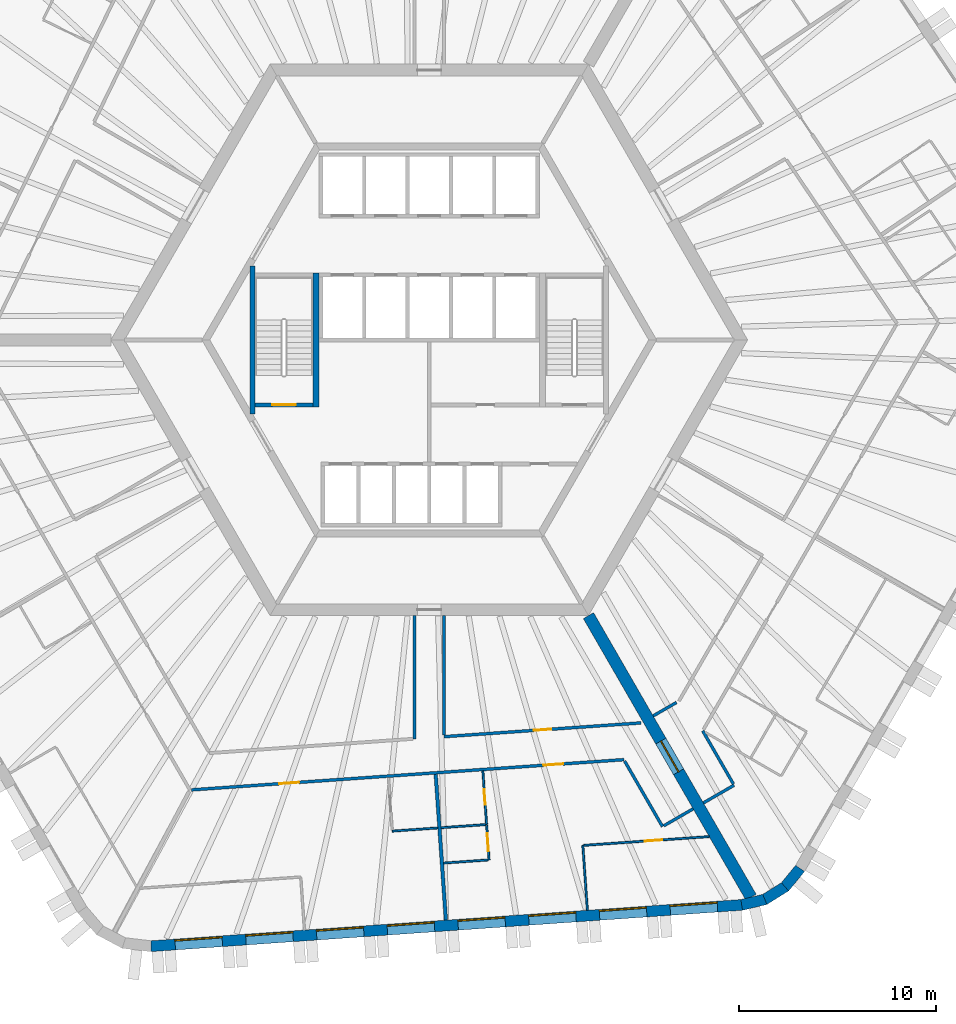
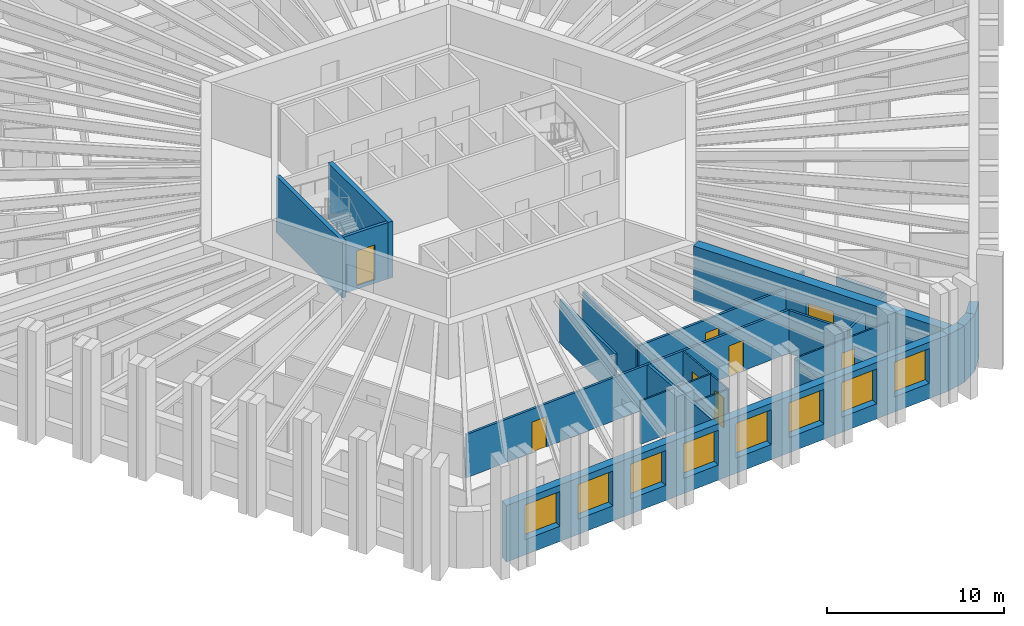
# One storey, part 4 of 12: 25 walls, 8 doors, 8 windows, 16 openings.
"""IFC4 building model written with IfcOpenShell, lengths in metres."""

from ifc_helpers import new_model, si_unit, direction, frame, frame_2d, origin, place, context, subcontext, project, spatial, polyline, rectangle, outline, extrude, material, layer, layer_set, type_object, element, fill, save


model = new_model("IFC4")

# Units and contexts
model_context = context("Model", 3, precision=1e-05, world=origin(), true_north=direction((0.0, 1.0)))
body_context = subcontext(model_context, "Body", "Model", "MODEL_VIEW")
ifc_project = project(units=[si_unit("LENGTHUNIT", "METRE"), si_unit("AREAUNIT", "SQUARE_METRE"), si_unit("VOLUMEUNIT", "CUBIC_METRE"), si_unit("PLANEANGLEUNIT", "RADIAN"), si_unit("MASSUNIT", "GRAM", prefix="KILO")], contexts=[model_context])

# Site, building, storey
site_placement = place(None, origin())
site = spatial("IfcSite", under=ifc_project, at=site_placement, CompositionType="ELEMENT")
building_placement = place(site_placement, origin())
building = spatial("IfcBuilding", under=site, at=building_placement, Name="Tarnside Tower", CompositionType="ELEMENT")
storey_placement = place(building_placement, frame((0.0, 0.0, 60.89990234375)))
storey = spatial("IfcBuildingStorey", under=building, at=storey_placement, Name="L12", CompositionType="ELEMENT", Elevation=60.89990234375)

# Wall
ifc_material_1 = material(Name="Gypsum board partition on steel studs", Category="steel")
ifc_layer_1 = layer(ifc_material_1, 0.10009765625)
ifc_layer_set_1 = layer_set([ifc_layer_1], Name="Bathroom wall 100")
wall_type_1 = type_object("IfcWallType", Name="Bathroom wall 100", PredefinedType="PARTITIONING", material=ifc_layer_set_1)
wall_1_placement = place(storey_placement, frame((0.428466796875, -24.780517578125, 0.0), z_axis=(0.0, 0.0, 1.0), x_axis=(-0.997563824095, -0.069759707979, 0.0)))
element("IfcWall", 1, at=wall_1_placement, inside=storey, type_object=wall_type_1, Name="Bathroom wall 03111", PredefinedType="PARTITIONING", context=body_context, shape_type="SweptSolid", body=[
    extrude(rectangle(XDim=2.309814453125, YDim=0.10009765625, at=frame_2d((1.15478515625, 0.0))), origin(), (0.0, 0.0, 1.0), 2.98779296875),
])

# Wall, opening, door
wall_2_placement = place(storey_placement, frame((2.722412109375, -21.888427734375, 0.0), z_axis=(0.0, 0.0, 1.0), x_axis=(0.069706086879, -0.997567572374, 0.0)))
wall_2 = element("IfcWall", 2, at=wall_2_placement, inside=storey, type_object=wall_type_1, Name="Bathroom wall 03118", PredefinedType="PARTITIONING", context=body_context, shape_type="SweptSolid", body=[
    extrude(rectangle(XDim=2.724853515625, YDim=0.10009765625, at=frame_2d((1.3623046875, 0.0))), origin(), (0.0, 0.0, 1.0), 2.98779296875),
])
opening_1_placement = place(wall_2_placement, frame((0.925048828125, 0.0, 0.0)))
opening_1 = element("IfcOpeningElement", 3, at=opening_1_placement, cuts=wall_2, Name="Opening D-B1", PredefinedType="OPENING", context=body_context, shape_type="SweptSolid", body=[
    extrude(rectangle(XDim=0.800048828125, YDim=2.10009765625, at=frame_2d((0.39990234375, 1.050048828125))), frame((0.0, 0.06005859375, 0.0), z_axis=(0.0, -1.0, 0.0), x_axis=(1.0, 0.0, 0.0)), (0.0, 0.0, 1.0), 0.1201171875),
])
ifc_material_2 = material(Name="Timber door leaf", Category="wood")
door_type_1 = type_object("IfcDoorType", Name="Bathroom door 800", OperationType="NOTDEFINED", PredefinedType="DOOR", material=ifc_material_2)
door_1_placement = place(opening_1_placement, origin())
door_1 = element("IfcDoor", 4, at=door_1_placement, inside=storey, type_object=door_type_1, Name="Bathroom door 03023", OperationType="SINGLE_SWING_RIGHT", OverallHeight=2.10009765625, OverallWidth=0.800048828125, PredefinedType="DOOR", context=body_context, shape_type="SweptSolid", body=[
    extrude(rectangle(XDim=0.800048828125, YDim=2.10009765625, at=frame_2d((0.39990234375, 1.050048828125))), frame((0.0, 0.02490234375, 0.0), z_axis=(0.0, -1.0, 0.0), x_axis=(1.0, 0.0, 0.0)), (0.0, 0.0, 1.0), 0.050048828125),
])
fill(opening_1, door_1)

# Wall
wall_3_placement = place(storey_placement, frame((0.608154296875, -24.767822265625, 0.0), z_axis=(0.0, 0.0, 1.0), x_axis=(0.997569341134, 0.069680769442, 0.0)))
element("IfcWall", 5, at=wall_3_placement, inside=storey, type_object=wall_type_1, Name="Bathroom wall 03123", PredefinedType="PARTITIONING", context=body_context, shape_type="SweptSolid", body=[
    extrude(rectangle(XDim=2.259765625, YDim=0.10009765625, at=frame_2d((1.1298828125, 0.0))), origin(), (0.0, 0.0, 1.0), 2.98779296875),
])

# Wall, opening, door
ifc_material_3 = material(Name="Concrete C80/95", Category="concrete")
ifc_layer_2 = layer(ifc_material_3, 0.60009765625)
ifc_layer_set_2 = layer_set([ifc_layer_2], Name="Core wall Z1 600 C80/95")
wall_type_2 = type_object("IfcWallType", Name="Core wall Z1 600 C80/95", PredefinedType="SHEAR", material=ifc_layer_set_2)
wall_4_placement = place(storey_placement, frame((8.0830078125, -14.0, -0.14990234375), z_axis=(0.0, 0.0, 1.0), x_axis=(0.499997680643, -0.866026742862, 0.0)))
wall_4 = element("IfcWall", 6, at=wall_4_placement, inside=storey, type_object=wall_type_2, Name="L12 spine wall 3", PredefinedType="SHEAR", context=body_context, shape_type="SweptSolid", body=[
    extrude(rectangle(XDim=16.5087890625, YDim=0.60009765625, at=frame_2d((8.25439453125, 0.0))), origin(), (0.0, 0.0, 1.0), 3.89990234375),
])
opening_2_placement = place(wall_4_placement, frame((7.3544921875, 0.0, 0.14990234375)))
opening_2 = element("IfcOpeningElement", 7, at=opening_2_placement, cuts=wall_4, Name="Opening CD-SPN", PredefinedType="OPENING", context=body_context, shape_type="SweptSolid", body=[
    extrude(rectangle(XDim=1.800048828125, YDim=2.39990234375, at=frame_2d((0.89990234375, 1.199951171875))), frame((0.0, 0.31005859375, 0.0), z_axis=(0.0, -1.0, 0.0), x_axis=(1.0, 0.0, 0.0)), (0.0, 0.0, 1.0), 0.6201171875),
])
ifc_material_4 = material(Name="Steel fire door", Category="steel")
door_type_2 = type_object("IfcDoorType", Name="Spine passage double door FD60 1800x2400", OperationType="NOTDEFINED", PredefinedType="DOOR", material=ifc_material_4)
door_2_placement = place(opening_2_placement, origin())
door_2 = element("IfcDoor", 8, at=door_2_placement, inside=storey, type_object=door_type_2, Name="L12 spine passage door 3", OperationType="DOUBLE_DOOR_SINGLE_SWING", OverallHeight=2.39990234375, OverallWidth=1.800048828125, PredefinedType="DOOR", context=body_context, shape_type="SweptSolid", body=[
    extrude(rectangle(XDim=1.800048828125, YDim=2.39990234375, at=frame_2d((0.89990234375, 1.199951171875))), frame((0.0, 0.02490234375, 0.0), z_axis=(0.0, -1.0, 0.0), x_axis=(1.0, 0.0, 0.0)), (0.0, 0.0, 1.0), 0.050048828125),
])
fill(opening_2, door_2)

# Wall, openings, doors
ifc_layer_3 = layer(ifc_material_1, 0.14990234375)
ifc_layer_set_3 = layer_set([ifc_layer_3], Name="Corridor wall 150 EI 60")
wall_type_3 = type_object("IfcWallType", Name="Corridor wall 150 EI 60", PredefinedType="PARTITIONING", material=ifc_layer_set_3)
wall_5_placement = place(storey_placement, frame((-12.068115234375, -22.847412109375, 0.0), z_axis=(0.0, 0.0, 1.0), x_axis=(0.99756437486, 0.069751831595, 0.0)))
wall_5 = element("IfcWall", 9, at=wall_5_placement, inside=storey, type_object=wall_type_3, Name="Corridor wall 03032", PredefinedType="PARTITIONING", context=body_context, shape_type="SweptSolid", body=[
    extrude(rectangle(XDim=22.001708984375, YDim=0.14990234375, at=frame_2d((11.0009765625, 0.0))), origin(), (0.0, 0.0, 1.0), 2.98779296875),
])
opening_3_placement = place(wall_5_placement, frame((4.468994140625, 0.0, 0.0)))
opening_3 = element("IfcOpeningElement", 10, at=opening_3_placement, cuts=wall_5, Name="Opening D-E1", PredefinedType="OPENING", context=body_context, shape_type="SweptSolid", body=[
    extrude(rectangle(XDim=1.0, YDim=2.10009765625, at=frame_2d((0.5, 1.050048828125))), frame((0.0, 0.0849609375, 0.0), z_axis=(0.0, -1.0, 0.0), x_axis=(1.0, 0.0, 0.0)), (0.0, 0.0, 1.0), 0.169921875),
])
opening_4_placement = place(wall_5_placement, frame((17.91162109375, 0.0, 0.0)))
opening_4 = element("IfcOpeningElement", 11, at=opening_4_placement, cuts=wall_5, Name="Opening D-E1", PredefinedType="OPENING", context=body_context, shape_type="SweptSolid", body=[
    extrude(rectangle(XDim=1.0, YDim=2.10009765625, at=frame_2d((0.5, 1.050048828125))), frame((0.0, 0.0849609375, 0.0), z_axis=(0.0, -1.0, 0.0), x_axis=(1.0, 0.0, 0.0)), (0.0, 0.0, 1.0), 0.169921875),
])
door_type_3 = type_object("IfcDoorType", Name="Unit entrance door 1000 FD30S", OperationType="NOTDEFINED", PredefinedType="DOOR", material=ifc_material_2)
door_3_placement = place(opening_3_placement, origin())
door_3 = element("IfcDoor", 12, at=door_3_placement, inside=storey, type_object=door_type_3, Name="Unit door 03019", OperationType="SINGLE_SWING_RIGHT", OverallHeight=2.10009765625, OverallWidth=1.0, PredefinedType="DOOR", context=body_context, shape_type="SweptSolid", body=[
    extrude(rectangle(XDim=1.0, YDim=2.10009765625, at=frame_2d((0.5, 1.050048828125))), frame((0.0, 0.02490234375, 0.0), z_axis=(0.0, -1.0, 0.0), x_axis=(1.0, 0.0, 0.0)), (0.0, 0.0, 1.0), 0.050048828125),
])
fill(opening_3, door_3)
door_4_placement = place(opening_4_placement, origin())
door_4 = element("IfcDoor", 13, at=door_4_placement, inside=storey, type_object=door_type_3, Name="Unit door 03022", OperationType="SINGLE_SWING_LEFT", OverallHeight=2.10009765625, OverallWidth=1.0, PredefinedType="DOOR", context=body_context, shape_type="SweptSolid", body=[
    extrude(rectangle(XDim=1.0, YDim=2.10009765625, at=frame_2d((0.5, 1.050048828125))), frame((0.0, 0.02490234375, 0.0), z_axis=(0.0, -1.0, 0.0), x_axis=(1.0, 0.0, 0.0)), (0.0, 0.0, 1.0), 0.050048828125),
])
fill(opening_4, door_4)

# Walls
wall_6_placement = place(storey_placement, frame((9.921630859375, -21.385009765625, 0.0), z_axis=(0.0, 0.0, 1.0), x_axis=(0.500023335103, -0.866011930837, 0.0)))
element("IfcWall", 14, at=wall_6_placement, inside=storey, type_object=wall_type_3, Name="Corridor wall 03035", PredefinedType="PARTITIONING", context=body_context, shape_type="SweptSolid", body=[
    extrude(rectangle(XDim=3.839599609375, YDim=0.14990234375, at=frame_2d((1.919921875, 0.0))), origin(), (0.0, 0.0, 1.0), 2.98779296875),
])
wall_7_placement = place(storey_placement, frame((11.906494140625, -24.672607421875, 0.0), z_axis=(0.0, 0.0, 1.0), x_axis=(0.866013532718, 0.500020560727, 0.0)))
element("IfcWall", 15, at=wall_7_placement, inside=storey, type_object=wall_type_3, Name="Corridor wall 03036", PredefinedType="PARTITIONING", context=body_context, shape_type="SweptSolid", body=[
    extrude(rectangle(XDim=1.72509765625, YDim=0.14990234375, at=frame_2d((0.862548828125, 0.0))), origin(), (0.0, 0.0, 1.0), 2.98779296875),
])
wall_8_placement = place(storey_placement, frame((-0.75, -14.0, 0.0), z_axis=(0.0, 0.0, 1.0), x_axis=(0.0, -1.0, 0.0)))
element("IfcWall", 16, at=wall_8_placement, inside=storey, type_object=wall_type_3, Name="Corridor wall 03041", PredefinedType="PARTITIONING", context=body_context, shape_type="SweptSolid", body=[
    extrude(rectangle(XDim=6.251708984375, YDim=0.14990234375, at=frame_2d((3.1259765625, 0.0))), origin(), (0.0, 0.0, 1.0), 2.98779296875),
])

# Wall, opening, door
wall_9_placement = place(storey_placement, frame((10.75439453125, -19.447265625, 0.0), z_axis=(0.0, 0.0, 1.0), x_axis=(-0.997564830966, -0.069745308232, 0.0)))
wall_9 = element("IfcWall", 17, at=wall_9_placement, inside=storey, type_object=wall_type_3, Name="Corridor wall 03045", PredefinedType="PARTITIONING", context=body_context, shape_type="SweptSolid", body=[
    extrude(rectangle(XDim=10.02880859375, YDim=0.14990234375, at=frame_2d((5.014404296875, 0.0))), origin(), (0.0, 0.0, 1.0), 2.98779296875),
])
opening_5_placement = place(wall_9_placement, frame((4.564453125, 0.0, 0.0)))
opening_5 = element("IfcOpeningElement", 18, at=opening_5_placement, cuts=wall_9, Name="Opening D-S1", PredefinedType="OPENING", context=body_context, shape_type="SweptSolid", body=[
    extrude(rectangle(XDim=0.89990234375, YDim=2.10009765625, at=frame_2d((0.449951171875, 1.050048828125))), frame((0.0, 0.0849609375, 0.0), z_axis=(0.0, -1.0, 0.0), x_axis=(1.0, 0.0, 0.0)), (0.0, 0.0, 1.0), 0.169921875),
])
door_type_4 = type_object("IfcDoorType", Name="Service room door 900 FD30S", OperationType="NOTDEFINED", PredefinedType="DOOR", material=ifc_material_2)
door_5_placement = place(opening_5_placement, origin())
door_5 = element("IfcDoor", 19, at=door_5_placement, inside=storey, type_object=door_type_4, Name="Service door 03044", OperationType="SINGLE_SWING_LEFT", OverallHeight=2.10009765625, OverallWidth=0.89990234375, PredefinedType="DOOR", context=body_context, shape_type="SweptSolid", body=[
    extrude(rectangle(XDim=0.89990234375, YDim=2.10009765625, at=frame_2d((0.449951171875, 1.050048828125))), frame((0.0, 0.02490234375, 0.0), z_axis=(0.0, -1.0, 0.0), x_axis=(1.0, 0.0, 0.0)), (0.0, 0.0, 1.0), 0.050048828125),
])
fill(opening_5, door_5)

# Walls
wall_10_placement = place(storey_placement, frame((0.75, -20.071533203125, 0.0), z_axis=(0.0, 0.0, 1.0), x_axis=(0.0, 1.0, 0.0)))
element("IfcWall", 20, at=wall_10_placement, inside=storey, type_object=wall_type_3, Name="Corridor wall 03046", PredefinedType="PARTITIONING", context=body_context, shape_type="SweptSolid", body=[
    extrude(rectangle(XDim=6.071533203125, YDim=0.14990234375, at=frame_2d((3.03564453125, 0.0))), origin(), (0.0, 0.0, 1.0), 2.98779296875),
])
wall_11_placement = place(storey_placement, frame((13.919921875, -23.510009765625, 0.0), z_axis=(0.0, 0.0, 1.0), x_axis=(0.866047807691, 0.499961193289, 0.0)))
element("IfcWall", 21, at=wall_11_placement, inside=storey, type_object=wall_type_3, Name="Corridor wall 03047", PredefinedType="PARTITIONING", context=body_context, shape_type="SweptSolid", body=[
    extrude(rectangle(XDim=1.800048828125, YDim=0.14990234375, at=frame_2d((0.89990234375, 0.0))), origin(), (0.0, 0.0, 1.0), 2.98779296875),
])
wall_12_placement = place(storey_placement, frame((15.44140625, -22.545166015625, 0.0), z_axis=(0.0, 0.0, 1.0), x_axis=(-0.500037089193, 0.86600398927, 0.0)))
element("IfcWall", 22, at=wall_12_placement, inside=storey, type_object=wall_type_3, Name="Corridor wall 03048", PredefinedType="PARTITIONING", context=body_context, shape_type="SweptSolid", body=[
    extrude(rectangle(XDim=3.112060546875, YDim=0.14990234375, at=frame_2d((1.55615234375, 0.0))), origin(), (0.0, 0.0, 1.0), 2.98779296875),
])
wall_13_placement = place(storey_placement, frame((12.552001953125, -18.409423828125, 0.0), z_axis=(0.0, 0.0, 1.0), x_axis=(-0.866078408764, -0.499908181442, 0.0)))
element("IfcWall", 23, at=wall_13_placement, inside=storey, type_object=wall_type_3, Name="Corridor wall 03069", PredefinedType="PARTITIONING", context=body_context, shape_type="SweptSolid", body=[
    extrude(rectangle(XDim=1.365478515625, YDim=0.14990234375, at=frame_2d((0.6826171875, 0.0))), origin(), (0.0, 0.0, 1.0), 2.98779296875),
])
ifc_layer_4 = layer(ifc_material_1, 0.179931640625)
ifc_layer_set_4 = layer_set([ifc_layer_4], Name="Demising wall 180 EI 60")
wall_type_4 = type_object("IfcWallType", Name="Demising wall 180 EI 60", PredefinedType="PARTITIONING", material=ifc_layer_set_4)
wall_14_placement = place(storey_placement, frame((0.84619140625, -29.462646484375, 0.0), z_axis=(0.0, 0.0, 1.0), x_axis=(-0.069774810252, 0.997562767877, 0.0)))
element("IfcWall", 24, at=wall_14_placement, inside=storey, type_object=wall_type_4, Name="Demising wall 03115", PredefinedType="PARTITIONING", context=body_context, shape_type="SweptSolid", body=[
    extrude(rectangle(XDim=7.4248046875, YDim=0.179931640625, at=frame_2d((3.71240234375, 0.0))), origin(), (0.0, 0.0, 1.0), 2.98779296875),
])

# Wall, opening, door
ifc_material_5 = material(Name="Concrete C40/50", Category="concrete")
ifc_layer_5 = layer(ifc_material_5, 0.199951171875)
ifc_layer_set_5 = layer_set([ifc_layer_5], Name="Lift shaft wall 200 C40/50")
wall_type_5 = type_object("IfcWallType", Name="Lift shaft wall 200 C40/50", PredefinedType="SHEAR", material=ifc_layer_set_5)
wall_15_placement = place(storey_placement, frame((-8.85009765625, -3.300048828125, -0.25), z_axis=(0.0, 0.0, 1.0), x_axis=(1.0, 0.0, 0.0)))
wall_15 = element("IfcWall", 25, at=wall_15_placement, inside=storey, type_object=wall_type_5, Name="L12 stair 2 enclosure cap wall s", PredefinedType="SHEAR", context=body_context, shape_type="SweptSolid", body=[
    extrude(rectangle(XDim=2.9501953125, YDim=0.199951171875, at=frame_2d((1.47509765625, 0.0))), origin(), (0.0, 0.0, 1.0), 3.900146484375),
])
opening_6_placement = place(wall_15_placement, frame((0.875, 0.0, 0.25)))
opening_6 = element("IfcOpeningElement", 26, at=opening_6_placement, cuts=wall_15, Name="Opening CD-STR", PredefinedType="OPENING", context=body_context, shape_type="SweptSolid", body=[
    extrude(rectangle(XDim=1.199951171875, YDim=2.39990234375, at=frame_2d((0.60009765625, 1.199951171875))), frame((0.0, 0.10986328125, 0.0), z_axis=(0.0, -1.0, 0.0), x_axis=(1.0, 0.0, 0.0)), (0.0, 0.0, 1.0), 0.219970703125),
])
door_type_5 = type_object("IfcDoorType", Name="Stair door FD60S 1200x2400", OperationType="NOTDEFINED", PredefinedType="DOOR", material=ifc_material_4)
door_6_placement = place(opening_6_placement, origin())
door_6 = element("IfcDoor", 27, at=door_6_placement, inside=storey, type_object=door_type_5, Name="L12 stair 2 door", OperationType="SINGLE_SWING_LEFT", OverallHeight=2.39990234375, OverallWidth=1.199951171875, PredefinedType="DOOR", context=body_context, shape_type="SweptSolid", body=[
    extrude(rectangle(XDim=1.199951171875, YDim=2.39990234375, at=frame_2d((0.60009765625, 1.199951171875))), frame((0.0, 0.02490234375, 0.0), z_axis=(0.0, -1.0, 0.0), x_axis=(1.0, 0.0, 0.0)), (0.0, 0.0, 1.0), 0.050048828125),
])
fill(opening_6, door_6)

ifc_layer_6 = layer(ifc_material_1, 0.10009765625)
ifc_layer_set_6 = layer_set([ifc_layer_6], Name="Partition 100")
wall_type_6 = type_object("IfcWallType", Name="Partition 100", PredefinedType="PARTITIONING", material=ifc_layer_set_6)
wall_16_placement = place(storey_placement, frame((2.916015625, -24.65673828125, 0.0), z_axis=(0.0, 0.0, 1.0), x_axis=(0.069759707979, -0.997563824095, 0.0)))
wall_16 = element("IfcWall", 28, at=wall_16_placement, inside=storey, type_object=wall_type_6, Name="Partition wall 03119", PredefinedType="PARTITIONING", context=body_context, shape_type="SweptSolid", body=[
    extrude(rectangle(XDim=1.749755859375, YDim=0.10009765625, at=frame_2d((0.875, 0.0))), origin(), (0.0, 0.0, 1.0), 2.98779296875),
])
opening_7_placement = place(wall_16_placement, frame((0.39990234375, 0.0, 0.0)))
opening_7 = element("IfcOpeningElement", 29, at=opening_7_placement, cuts=wall_16, Name="Opening D-I1", PredefinedType="OPENING", context=body_context, shape_type="SweptSolid", body=[
    extrude(rectangle(XDim=0.89990234375, YDim=2.10009765625, at=frame_2d((0.449951171875, 1.050048828125))), frame((0.0, 0.06005859375, 0.0), z_axis=(0.0, -1.0, 0.0), x_axis=(1.0, 0.0, 0.0)), (0.0, 0.0, 1.0), 0.1201171875),
])
door_type_6 = type_object("IfcDoorType", Name="Internal door 900", OperationType="NOTDEFINED", PredefinedType="DOOR", material=ifc_material_2)
door_7_placement = place(opening_7_placement, origin())
door_7 = element("IfcDoor", 30, at=door_7_placement, inside=storey, type_object=door_type_6, Name="Internal door 03024", OperationType="SINGLE_SWING_RIGHT", OverallHeight=2.10009765625, OverallWidth=0.89990234375, PredefinedType="DOOR", context=body_context, shape_type="SweptSolid", body=[
    extrude(rectangle(XDim=0.89990234375, YDim=2.10009765625, at=frame_2d((0.449951171875, 1.050048828125))), frame((0.0, 0.02490234375, 0.0), z_axis=(0.0, -1.0, 0.0), x_axis=(1.0, 0.0, 0.0)), (0.0, 0.0, 1.0), 0.050048828125),
])
fill(opening_7, door_7)

# Walls
wall_17_placement = place(storey_placement, frame((2.988037109375, -26.40576171875, 0.0), z_axis=(0.0, 0.0, 1.0), x_axis=(-0.997561825928, -0.069788275888, 0.0)))
element("IfcWall", 31, at=wall_17_placement, inside=storey, type_object=wall_type_6, Name="Partition wall 03120", PredefinedType="PARTITIONING", context=body_context, shape_type="SweptSolid", body=[
    extrude(rectangle(XDim=2.260009765625, YDim=0.10009765625, at=frame_2d((1.1298828125, 0.0))), origin(), (0.0, 0.0, 1.0), 2.98779296875),
])
wall_18_placement = place(storey_placement, frame((8.028564453125, -28.96044921875, 0.0), z_axis=(0.0, 0.0, 1.0), x_axis=(-0.069764341483, 0.997563500063, 0.0)))
element("IfcWall", 32, at=wall_18_placement, inside=storey, type_object=wall_type_6, Name="Partition wall 03121", PredefinedType="PARTITIONING", context=body_context, shape_type="SweptSolid", body=[
    extrude(rectangle(XDim=3.300048828125, YDim=0.10009765625, at=frame_2d((1.64990234375, 0.0))), origin(), (0.0, 0.0, 1.0), 2.98779296875),
])

# Wall, opening, door
wall_19_placement = place(storey_placement, frame((7.848388671875, -25.6650390625, 0.0), z_axis=(0.0, 0.0, 1.0), x_axis=(0.997564959643, 0.069743467744, 0.0)))
wall_19 = element("IfcWall", 33, at=wall_19_placement, inside=storey, type_object=wall_type_6, Name="Partition wall 03122", PredefinedType="PARTITIONING", context=body_context, shape_type="SweptSolid", body=[
    extrude(rectangle(XDim=6.381591796875, YDim=0.10009765625, at=frame_2d((3.19091796875, 0.0))), origin(), (0.0, 0.0, 1.0), 2.98779296875),
])
opening_8_placement = place(wall_19_placement, frame((3.10009765625, 0.0, 0.0)))
opening_8 = element("IfcOpeningElement", 34, at=opening_8_placement, cuts=wall_19, Name="Opening D-I1", PredefinedType="OPENING", context=body_context, shape_type="SweptSolid", body=[
    extrude(rectangle(XDim=0.89990234375, YDim=2.10009765625, at=frame_2d((0.449951171875, 1.050048828125))), frame((0.0, 0.06005859375, 0.0), z_axis=(0.0, -1.0, 0.0), x_axis=(1.0, 0.0, 0.0)), (0.0, 0.0, 1.0), 0.1201171875),
])
door_8_placement = place(opening_8_placement, origin())
door_8 = element("IfcDoor", 35, at=door_8_placement, inside=storey, type_object=door_type_6, Name="Internal door 03025", OperationType="SINGLE_SWING_LEFT", OverallHeight=2.10009765625, OverallWidth=0.89990234375, PredefinedType="DOOR", context=body_context, shape_type="SweptSolid", body=[
    extrude(rectangle(XDim=0.89990234375, YDim=2.10009765625, at=frame_2d((0.449951171875, 1.050048828125))), frame((0.0, 0.02490234375, 0.0), z_axis=(0.0, -1.0, 0.0), x_axis=(1.0, 0.0, 0.0)), (0.0, 0.0, 1.0), 0.050048828125),
])
fill(opening_8, door_8)

# Walls
ifc_layer_7 = layer(ifc_material_5, 0.25)
ifc_layer_set_7 = layer_set([ifc_layer_7], Name="Stair enclosure wall 250 C40/50")
wall_type_7 = type_object("IfcWallType", Name="Stair enclosure wall 250 C40/50", PredefinedType="SHEAR", material=ifc_layer_set_7)
wall_20_placement = place(storey_placement, frame((-8.97509765625, -3.7548828125, -0.25), z_axis=(0.0, 0.0, 1.0), x_axis=(0.0, 1.0, 0.0)))
element("IfcWall", 36, at=wall_20_placement, inside=storey, type_object=wall_type_7, Name="L12 stair 2 enclosure wall outer", PredefinedType="SHEAR", context=body_context, shape_type="SweptSolid", body=[
    extrude(rectangle(XDim=7.509765625, YDim=0.25, at=frame_2d((3.7548828125, 0.0))), origin(), (0.0, 0.0, 1.0), 3.900146484375),
])
ifc_layer_8 = layer(ifc_material_5, 0.300048828125)
ifc_layer_set_8 = layer_set([ifc_layer_8], Name="Stair enclosure wall 300 C40/50")
wall_type_8 = type_object("IfcWallType", Name="Stair enclosure wall 300 C40/50", PredefinedType="SHEAR", material=ifc_layer_set_8)
wall_21_placement = place(storey_placement, frame((-5.75, -3.39990234375, -0.25), z_axis=(0.0, 0.0, 1.0), x_axis=(0.0, 1.0, 0.0)))
element("IfcWall", 37, at=wall_21_placement, inside=storey, type_object=wall_type_8, Name="L12 stair 2 enclosure wall inner", PredefinedType="SHEAR", context=body_context, shape_type="SweptSolid", body=[
    extrude(rectangle(XDim=6.7998046875, YDim=0.300048828125, at=frame_2d((3.39990234375, 0.0))), origin(), (0.0, 0.0, 1.0), 3.900146484375),
])

# Wall, openings, windows
ifc_material_6 = material(Name="Facing brick", Category="masonry")
ifc_layer_9 = layer(ifc_material_6, 0.10205078125)
ifc_material_7 = material(Name="Concrete C60/75 precast", Category="concrete")
ifc_layer_10 = layer(ifc_material_7, 0.347900390625)
ifc_material_8 = material(Name="Mineral wool insulation")
ifc_layer_11 = layer(ifc_material_8, 0.10009765625)
ifc_layer_set_9 = layer_set([ifc_layer_9, ifc_layer_10, ifc_layer_11], Name="Tube wall 550 brick faced")
wall_type_9 = type_object("IfcWallType", Name="Tube wall 550 brick faced", PredefinedType="SOLIDWALL", material=ifc_layer_set_9)
wall_22_placement = place(storey_placement, frame((-14.133544921875, -30.785888671875, -0.14990234375), z_axis=(0.0, 0.0, 1.0), x_axis=(0.997564037441, 0.069756657061, 0.0)))
wall_22 = element("IfcWall", 38, at=wall_22_placement, inside=storey, type_object=wall_type_9, Name="Tube wall L12 F4 flush 12", PredefinedType="SOLIDWALL", context=body_context, shape_type="SweptSolid", body=[
    extrude(outline(polyline([(-0.025634765625, -0.27490234375), (30.093505859375, -0.27490234375), (30.048583984375, 0.27490234375), (0.025634765625, 0.27490234375), (-0.025634765625, -0.27490234375)])), origin(), (0.0, 0.0, 1.0), 3.89990234375),
])
opening_9_placement = place(wall_22_placement, frame((1.235595703125, 0.0, 1.050048828125)))
opening_9 = element("IfcOpeningElement", 39, at=opening_9_placement, cuts=wall_22, Name="Opening WH", PredefinedType="OPENING", context=body_context, shape_type="SweptSolid", body=[
    extrude(rectangle(XDim=2.39990234375, YDim=2.39990234375, at=frame_2d((1.199951171875, 1.199951171875))), frame((0.0, 0.28515625, 0.0), z_axis=(0.0, -1.0, 0.0), x_axis=(1.0, 0.0, 0.0)), (0.0, 0.0, 1.0), 0.570068359375),
])
opening_10_placement = place(wall_22_placement, frame((4.83544921875, 0.0, 1.050048828125)))
opening_10 = element("IfcOpeningElement", 40, at=opening_10_placement, cuts=wall_22, Name="Opening WH", PredefinedType="OPENING", context=body_context, shape_type="SweptSolid", body=[
    extrude(rectangle(XDim=2.39990234375, YDim=2.39990234375, at=frame_2d((1.199951171875, 1.199951171875))), frame((0.0, 0.28515625, 0.0), z_axis=(0.0, -1.0, 0.0), x_axis=(1.0, 0.0, 0.0)), (0.0, 0.0, 1.0), 0.570068359375),
])
opening_11_placement = place(wall_22_placement, frame((8.435546875, 0.0, 1.050048828125)))
opening_11 = element("IfcOpeningElement", 41, at=opening_11_placement, cuts=wall_22, Name="Opening WH", PredefinedType="OPENING", context=body_context, shape_type="SweptSolid", body=[
    extrude(rectangle(XDim=2.39990234375, YDim=2.39990234375, at=frame_2d((1.199951171875, 1.199951171875))), frame((0.0, 0.28515625, 0.0), z_axis=(0.0, -1.0, 0.0), x_axis=(1.0, 0.0, 0.0)), (0.0, 0.0, 1.0), 0.570068359375),
])
opening_12_placement = place(wall_22_placement, frame((12.035400390625, 0.0, 1.050048828125)))
opening_12 = element("IfcOpeningElement", 42, at=opening_12_placement, cuts=wall_22, Name="Opening WH", PredefinedType="OPENING", context=body_context, shape_type="SweptSolid", body=[
    extrude(rectangle(XDim=2.39990234375, YDim=2.39990234375, at=frame_2d((1.199951171875, 1.199951171875))), frame((0.0, 0.28515625, 0.0), z_axis=(0.0, -1.0, 0.0), x_axis=(1.0, 0.0, 0.0)), (0.0, 0.0, 1.0), 0.570068359375),
])
opening_13_placement = place(wall_22_placement, frame((15.635498046875, 0.0, 1.050048828125)))
opening_13 = element("IfcOpeningElement", 43, at=opening_13_placement, cuts=wall_22, Name="Opening WH", PredefinedType="OPENING", context=body_context, shape_type="SweptSolid", body=[
    extrude(rectangle(XDim=2.39990234375, YDim=2.39990234375, at=frame_2d((1.199951171875, 1.199951171875))), frame((0.0, 0.28515625, 0.0), z_axis=(0.0, -1.0, 0.0), x_axis=(1.0, 0.0, 0.0)), (0.0, 0.0, 1.0), 0.570068359375),
])
opening_14_placement = place(wall_22_placement, frame((19.235595703125, 0.0, 1.050048828125)))
opening_14 = element("IfcOpeningElement", 44, at=opening_14_placement, cuts=wall_22, Name="Opening WH", PredefinedType="OPENING", context=body_context, shape_type="SweptSolid", body=[
    extrude(rectangle(XDim=2.39990234375, YDim=2.39990234375, at=frame_2d((1.199951171875, 1.199951171875))), frame((0.0, 0.28515625, 0.0), z_axis=(0.0, -1.0, 0.0), x_axis=(1.0, 0.0, 0.0)), (0.0, 0.0, 1.0), 0.570068359375),
])
opening_15_placement = place(wall_22_placement, frame((22.83544921875, 0.0, 1.050048828125)))
opening_15 = element("IfcOpeningElement", 45, at=opening_15_placement, cuts=wall_22, Name="Opening WH", PredefinedType="OPENING", context=body_context, shape_type="SweptSolid", body=[
    extrude(rectangle(XDim=2.39990234375, YDim=2.39990234375, at=frame_2d((1.199951171875, 1.199951171875))), frame((0.0, 0.28515625, 0.0), z_axis=(0.0, -1.0, 0.0), x_axis=(1.0, 0.0, 0.0)), (0.0, 0.0, 1.0), 0.570068359375),
])
opening_16_placement = place(wall_22_placement, frame((26.435546875, 0.0, 1.050048828125)))
opening_16 = element("IfcOpeningElement", 46, at=opening_16_placement, cuts=wall_22, Name="Opening WH", PredefinedType="OPENING", context=body_context, shape_type="SweptSolid", body=[
    extrude(rectangle(XDim=2.39990234375, YDim=2.39990234375, at=frame_2d((1.199951171875, 1.199951171875))), frame((0.0, 0.28515625, 0.0), z_axis=(0.0, -1.0, 0.0), x_axis=(1.0, 0.0, 0.0)), (0.0, 0.0, 1.0), 0.570068359375),
])
ifc_material_9 = material(Name="Aluminium-framed double glazing", Category="aluminium")
window_type = type_object("IfcWindowType", Name="Hotel window 2400 x 2400", PartitioningType="DOUBLE_PANEL_VERTICAL", PredefinedType="WINDOW", material=ifc_material_9)
window_1_placement = place(opening_9_placement, frame((0.0, 0.205078125, 0.0)))
window_1 = element("IfcWindow", 47, at=window_1_placement, inside=storey, type_object=window_type, Name="E.WN.L12.F4.00", OverallHeight=2.39990234375, OverallWidth=2.39990234375, PartitioningType="DOUBLE_PANEL_VERTICAL", PredefinedType="WINDOW", context=body_context, shape_type="SweptSolid", body=[
    extrude(rectangle(XDim=2.39990234375, YDim=2.39990234375, at=frame_2d((1.199951171875, 1.199951171875))), frame((0.0, 0.030029296875, 0.0), z_axis=(0.0, -1.0, 0.0), x_axis=(1.0, 0.0, 0.0)), (0.0, 0.0, 1.0), 0.06005859375),
])
fill(opening_9, window_1)
window_2_placement = place(opening_10_placement, frame((0.0, 0.205078125, 0.0)))
window_2 = element("IfcWindow", 48, at=window_2_placement, inside=storey, type_object=window_type, Name="E.WN.L12.F4.01", OverallHeight=2.39990234375, OverallWidth=2.39990234375, PartitioningType="DOUBLE_PANEL_VERTICAL", PredefinedType="WINDOW", context=body_context, shape_type="SweptSolid", body=[
    extrude(rectangle(XDim=2.39990234375, YDim=2.39990234375, at=frame_2d((1.199951171875, 1.199951171875))), frame((0.0, 0.030029296875, 0.0), z_axis=(0.0, -1.0, 0.0), x_axis=(1.0, 0.0, 0.0)), (0.0, 0.0, 1.0), 0.06005859375),
])
fill(opening_10, window_2)
window_3_placement = place(opening_11_placement, frame((0.0, 0.205078125, 0.0)))
window_3 = element("IfcWindow", 49, at=window_3_placement, inside=storey, type_object=window_type, Name="E.WN.L12.F4.02", OverallHeight=2.39990234375, OverallWidth=2.39990234375, PartitioningType="DOUBLE_PANEL_VERTICAL", PredefinedType="WINDOW", context=body_context, shape_type="SweptSolid", body=[
    extrude(rectangle(XDim=2.39990234375, YDim=2.39990234375, at=frame_2d((1.199951171875, 1.199951171875))), frame((0.0, 0.030029296875, 0.0), z_axis=(0.0, -1.0, 0.0), x_axis=(1.0, 0.0, 0.0)), (0.0, 0.0, 1.0), 0.06005859375),
])
fill(opening_11, window_3)
window_4_placement = place(opening_12_placement, frame((0.0, 0.205078125, 0.0)))
window_4 = element("IfcWindow", 50, at=window_4_placement, inside=storey, type_object=window_type, Name="E.WN.L12.F4.03", OverallHeight=2.39990234375, OverallWidth=2.39990234375, PartitioningType="DOUBLE_PANEL_VERTICAL", PredefinedType="WINDOW", context=body_context, shape_type="SweptSolid", body=[
    extrude(rectangle(XDim=2.39990234375, YDim=2.39990234375, at=frame_2d((1.199951171875, 1.199951171875))), frame((0.0, 0.030029296875, 0.0), z_axis=(0.0, -1.0, 0.0), x_axis=(1.0, 0.0, 0.0)), (0.0, 0.0, 1.0), 0.06005859375),
])
fill(opening_12, window_4)
window_5_placement = place(opening_13_placement, frame((0.0, 0.205078125, 0.0)))
window_5 = element("IfcWindow", 51, at=window_5_placement, inside=storey, type_object=window_type, Name="E.WN.L12.F4.04", OverallHeight=2.39990234375, OverallWidth=2.39990234375, PartitioningType="DOUBLE_PANEL_VERTICAL", PredefinedType="WINDOW", context=body_context, shape_type="SweptSolid", body=[
    extrude(rectangle(XDim=2.39990234375, YDim=2.39990234375, at=frame_2d((1.199951171875, 1.199951171875))), frame((0.0, 0.030029296875, 0.0), z_axis=(0.0, -1.0, 0.0), x_axis=(1.0, 0.0, 0.0)), (0.0, 0.0, 1.0), 0.06005859375),
])
fill(opening_13, window_5)
window_6_placement = place(opening_14_placement, frame((0.0, 0.205078125, 0.0)))
window_6 = element("IfcWindow", 52, at=window_6_placement, inside=storey, type_object=window_type, Name="E.WN.L12.F4.05", OverallHeight=2.39990234375, OverallWidth=2.39990234375, PartitioningType="DOUBLE_PANEL_VERTICAL", PredefinedType="WINDOW", context=body_context, shape_type="SweptSolid", body=[
    extrude(rectangle(XDim=2.39990234375, YDim=2.39990234375, at=frame_2d((1.199951171875, 1.199951171875))), frame((0.0, 0.030029296875, 0.0), z_axis=(0.0, -1.0, 0.0), x_axis=(1.0, 0.0, 0.0)), (0.0, 0.0, 1.0), 0.06005859375),
])
fill(opening_14, window_6)
window_7_placement = place(opening_15_placement, frame((0.0, 0.205078125, 0.0)))
window_7 = element("IfcWindow", 53, at=window_7_placement, inside=storey, type_object=window_type, Name="E.WN.L12.F4.06", OverallHeight=2.39990234375, OverallWidth=2.39990234375, PartitioningType="DOUBLE_PANEL_VERTICAL", PredefinedType="WINDOW", context=body_context, shape_type="SweptSolid", body=[
    extrude(rectangle(XDim=2.39990234375, YDim=2.39990234375, at=frame_2d((1.199951171875, 1.199951171875))), frame((0.0, 0.030029296875, 0.0), z_axis=(0.0, -1.0, 0.0), x_axis=(1.0, 0.0, 0.0)), (0.0, 0.0, 1.0), 0.06005859375),
])
fill(opening_15, window_7)
window_8_placement = place(opening_16_placement, frame((0.0, 0.205078125, 0.0)))
window_8 = element("IfcWindow", 54, at=window_8_placement, inside=storey, type_object=window_type, Name="E.WN.L12.F4.07", OverallHeight=2.39990234375, OverallWidth=2.39990234375, PartitioningType="DOUBLE_PANEL_VERTICAL", PredefinedType="WINDOW", context=body_context, shape_type="SweptSolid", body=[
    extrude(rectangle(XDim=2.39990234375, YDim=2.39990234375, at=frame_2d((1.199951171875, 1.199951171875))), frame((0.0, 0.030029296875, 0.0), z_axis=(0.0, -1.0, 0.0), x_axis=(1.0, 0.0, 0.0)), (0.0, 0.0, 1.0), 0.06005859375),
])
fill(opening_16, window_8)

# Walls
wall_23_placement = place(storey_placement, frame((15.8642578125, -28.688232421875, -0.14990234375), z_axis=(0.0, 0.0, 1.0), x_axis=(0.973063591128, 0.230536868247, 0.0)))
element("IfcWall", 55, at=wall_23_placement, inside=storey, type_object=wall_type_9, Name="Tube wall L12 F4 chord 13", PredefinedType="SOLIDWALL", context=body_context, shape_type="SweptSolid", body=[
    extrude(outline(polyline([(-0.0224609375, -0.27490234375), (1.25341796875, -0.27490234375), (1.1630859375, 0.27490234375), (0.0224609375, 0.27490234375), (-0.0224609375, -0.27490234375)])), origin(), (0.0, 0.0, 1.0), 3.89990234375),
])
wall_24_placement = place(storey_placement, frame((17.0400390625, -28.40966796875, -0.14990234375), z_axis=(0.0, 0.0, 1.0), x_axis=(0.847952888306, 0.530071598195, 0.0)))
element("IfcWall", 56, at=wall_24_placement, inside=storey, type_object=wall_type_9, Name="Tube wall L12 F4 chord 14", PredefinedType="SOLIDWALL", context=body_context, shape_type="SweptSolid", body=[
    extrude(outline(polyline([(-0.045166015625, -0.27490234375), (1.253173828125, -0.27490234375), (1.162841796875, 0.27490234375), (0.045166015625, 0.27490234375), (-0.045166015625, -0.27490234375)])), origin(), (0.0, 0.0, 1.0), 3.89990234375),
])
wall_25_placement = place(storey_placement, frame((18.064453125, -27.769287109375, -0.14990234375), z_axis=(0.0, 0.0, 1.0), x_axis=(0.633842757806, 0.773461930787, 0.0)))
element("IfcWall", 57, at=wall_25_placement, inside=storey, type_object=wall_type_9, Name="Tube wall L12 F4 chord 15", PredefinedType="SOLIDWALL", context=body_context, shape_type="SweptSolid", body=[
    extrude(outline(polyline([(-0.045166015625, -0.27490234375), (1.230712890625, -0.27490234375), (1.185791015625, 0.27490234375), (0.045166015625, 0.27490234375), (-0.045166015625, -0.27490234375)])), origin(), (0.0, 0.0, 1.0), 3.89990234375),
])

save(model, "model.ifc")
